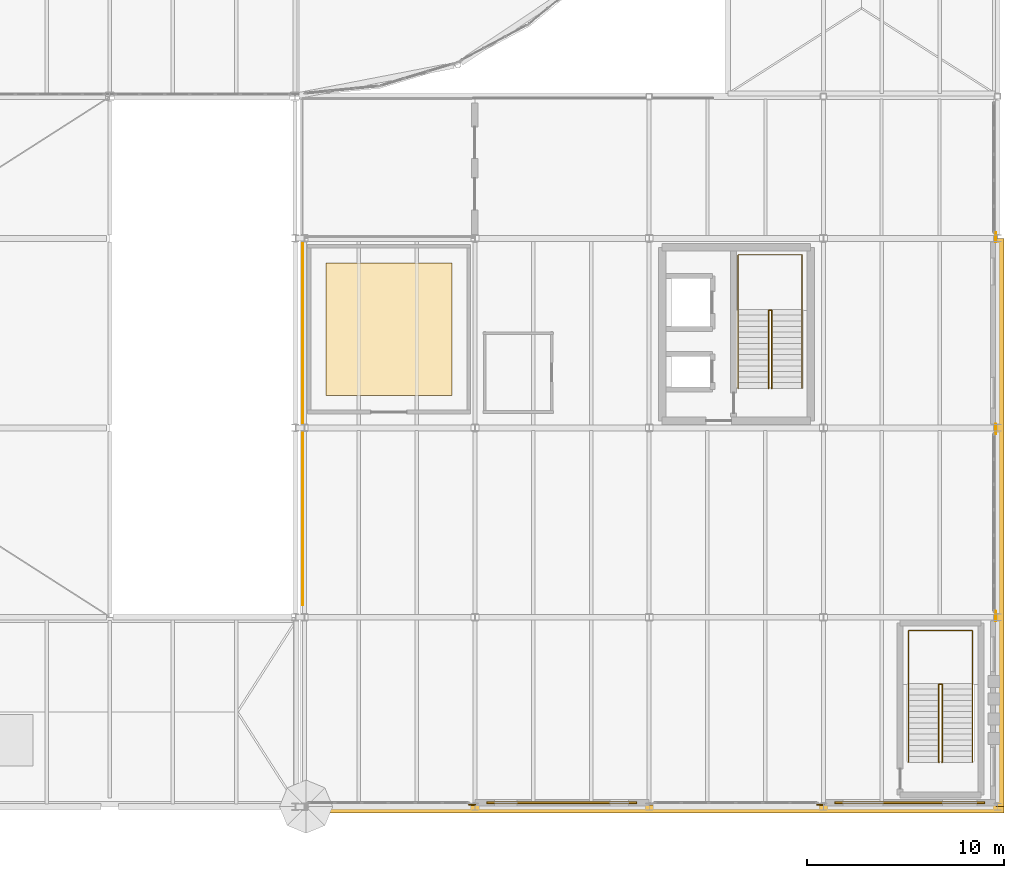
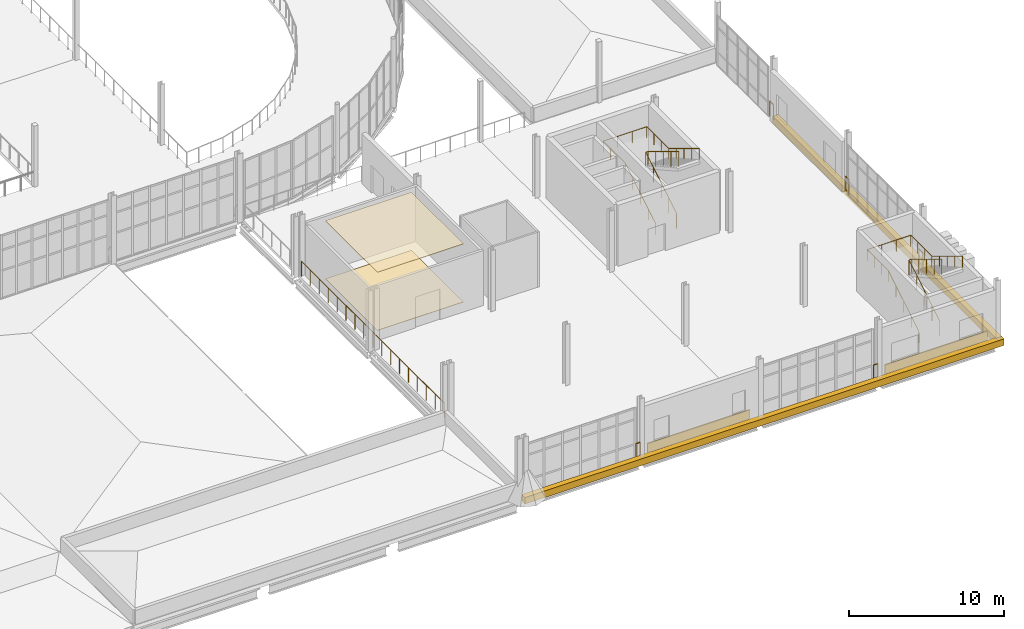
# One storey, part 110 of 112: 10 railings, 6 coverings.
"""IFC4 building model written with IfcOpenShell, lengths in metres."""

from ifc_helpers import new_model, si_unit, direction, frame, origin, origin_2d, place, context, subcontext, project, spatial, polyline, rectangle, circle, outline, extrude, material, layer, layer_set, type_object, element, save


model = new_model("IFC4")

# Units and contexts
model_context = context("Model", 3, precision=1e-05, world=origin(), true_north=direction((0.0, 1.0)))
body_context = subcontext(model_context, "Body", "Model", "MODEL_VIEW")
ifc_project = project(units=[si_unit("LENGTHUNIT", "METRE"), si_unit("AREAUNIT", "SQUARE_METRE"), si_unit("VOLUMEUNIT", "CUBIC_METRE"), si_unit("PLANEANGLEUNIT", "RADIAN"), si_unit("MASSUNIT", "GRAM", prefix="KILO")], contexts=[model_context])

# Site, building, storey
site_placement = place(None, origin())
site = spatial("IfcSite", under=ifc_project, at=site_placement, CompositionType="ELEMENT")
building_placement = place(site_placement, origin())
building = spatial("IfcBuilding", under=site, at=building_placement, Name="Yeouljin Market Hall", CompositionType="ELEMENT")
storey_placement = place(building_placement, frame((0.0, 0.0, 6.0)))
storey = spatial("IfcBuildingStorey", under=building, at=storey_placement, Name="L01", CompositionType="ELEMENT", Elevation=6.0)

# Coverings
ifc_material_1 = material(Name="Clinker Brick Masonry F2-S2", Category="masonry")
ifc_layer_1 = layer(ifc_material_1, 0.090087890625)
ifc_layer_set_1 = layer_set([ifc_layer_1], Name="Clinker Brick Masonry F2-S2")
covering_type_1 = type_object("IfcCoveringType", Name="Covering_Brick_FacadeCladding", PredefinedType="CLADDING", material=ifc_layer_set_1)
for number, where, z_axis, x_axis, name in (
    (1, (171.949951171875, 0.199951171875, 0.074951171875), (0.0, 0.0, 1.0), (-1.0, 0.0, 0.0), "Muizentand clinker brick spandrel band L01-09"),
    (2, (154.300048828125, 0.199951171875, 0.074951171875), (0.0, 0.0, 1.0), (-1.0, 0.0, 0.0), "Muizentand clinker brick spandrel band L01-11"),
):
    element("IfcCovering", number, at=place(storey_placement, frame(where, z_axis=z_axis, x_axis=x_axis)), inside=storey, type_object=covering_type_1, Name=name, PredefinedType="CLADDING", context=body_context, shape_type="SweptSolid", body=[
        extrude(rectangle(XDim=7.60009765625, YDim=0.090087890625, at=origin_2d()), origin(), (0.0, 0.0, 1.0), 0.75),
    ])
ifc_material_2 = material(Name="Clinker Brick Masonry F2-S2", Category="masonry")
ifc_layer_2 = layer(ifc_material_2, 0.360107421875)
ifc_layer_set_2 = layer_set([ifc_layer_2], Name="Clinker Brick Masonry F2-S2")
covering_type_2 = type_object("IfcCoveringType", Name="Covering_Clinker_SpandrelHood", PredefinedType="CLADDING", material=ifc_layer_set_2)
covering_1_placement = place(storey_placement, frame((0.0, 0.0, -0.35009765625)))
element("IfcCovering", 3, at=covering_1_placement, inside=storey, type_object=covering_type_2, Name="Corbelled brick spandrel hood SE-02", PredefinedType="CLADDING", context=body_context, shape_type="SweptSolid", body=[
    extrude(outline(polyline([(141.10009765625, -0.320068359375), (176.719970703125, -0.320068359375), (176.719970703125, 0.080078125), (141.10009765625, 0.080078125), (141.10009765625, -0.320068359375)])), origin(), (0.0, 0.0, 1.0), 0.52001953125),
])
covering_2_placement = place(storey_placement, frame((0.0, 0.0, -0.35009765625)))
element("IfcCovering", 4, at=covering_2_placement, inside=storey, type_object=covering_type_2, Name="Corbelled brick spandrel hood EE-04", PredefinedType="CLADDING", context=body_context, shape_type="SweptSolid", body=[
    extrude(outline(polyline([(176.320068359375, 0.0), (176.719970703125, 0.0), (176.719970703125, 28.800048828125), (176.320068359375, 28.800048828125), (176.320068359375, 0.0)])), origin(), (0.0, 0.0, 1.0), 0.52001953125),
])
ifc_material_3 = material(Name="Polished Mineral Terrazzo Flooring")
ifc_layer_3 = layer(ifc_material_3, 0.030029296875)
ifc_layer_set_3 = layer_set([ifc_layer_3], Name="Polished Mineral Terrazzo Flooring")
covering_type_3 = type_object("IfcCoveringType", Name="Covering_Terrazzo_Flooring", PredefinedType="FLOORING", material=ifc_layer_set_3)
covering_3_placement = place(storey_placement, origin())
element("IfcCovering", 5, at=covering_3_placement, inside=storey, type_object=covering_type_3, Name="Polished terrazzo floor finish L01-05", PredefinedType="FLOORING", context=body_context, shape_type="SweptSolid", body=[
    extrude(outline(polyline([(148.75, 20.85009765625), (148.75, 27.550048828125), (142.35009765625, 27.550048828125), (142.35009765625, 20.85009765625), (148.75, 20.85009765625)])), origin(), (0.0, 0.0, 1.0), 0.030029296875),
])
ifc_material_4 = material(Name="Perforated Larch Acoustic Ceiling Baffle")
ifc_layer_4 = layer(ifc_material_4, 0.0400390625)
ifc_layer_set_4 = layer_set([ifc_layer_4], Name="Perforated Larch Acoustic Ceiling Baffle")
covering_type_4 = type_object("IfcCoveringType", Name="Covering_TimberAcoustic_Ceiling", PredefinedType="CEILING", material=ifc_layer_set_4)
covering_4_placement = place(storey_placement, frame((0.0, 0.0, 4.56005859375)))
element("IfcCovering", 6, at=covering_4_placement, inside=storey, type_object=covering_type_4, Name="Acoustic larch baffle ceiling L01-05", PredefinedType="CEILING", context=body_context, shape_type="SweptSolid", body=[
    extrude(outline(polyline([(148.75, 20.85009765625), (148.75, 27.550048828125), (142.35009765625, 27.550048828125), (142.35009765625, 20.85009765625), (148.75, 20.85009765625)])), origin(), (0.0, 0.0, 1.0), 0.0400390625),
])

# Railings
ifc_material_5 = material(Name="Wrought Iron and Bronze Gallery Balustrade")
railing_type_1 = type_object("IfcRailingType", Name="Railing_AtriumBalustrade_1200", PredefinedType="BALUSTRADE", material=ifc_material_5)
for number, where, name in (
    (7, (176.300048828125, 29.10009765625, 0.0), "Gallery & deck edge balustrade L01-059"),
    (8, (176.300048828125, 19.382080078125, 0.0), "Gallery & deck edge balustrade L01-060"),
):
    element("IfcRailing", number, at=place(storey_placement, frame(where)), inside=storey, type_object=railing_type_1, Name=name, PredefinedType="BALUSTRADE", context=body_context, shape_type="SweptSolid", body=[
        extrude(circle(Radius=0.02392578125, at=origin_2d()), frame((0.0, 0.0, 1.17578125), z_axis=(0.0, -1.0, 0.0), x_axis=(1.0, 0.0, 0.0)), (0.0, 0.0, 1.0), 0.482177734375),
        extrude(circle(Radius=0.02099609375, at=origin_2d()), origin(), (0.0, 0.0, 1.0), 1.15185546875),
        extrude(circle(Radius=0.02099609375, at=origin_2d()), frame((0.0, -0.482177734375, 0.0)), (0.0, 0.0, 1.0), 1.15185546875),
    ])
railing_1_placement = place(storey_placement, frame((176.300048828125, 9.89990234375, 0.0)))
element("IfcRailing", 9, at=railing_1_placement, inside=storey, type_object=railing_type_1, Name="Gallery & deck edge balustrade L01-061", PredefinedType="BALUSTRADE", context=body_context, shape_type="SweptSolid", body=[
    extrude(circle(Radius=0.02392578125, at=origin_2d()), frame((0.0, 0.0, 1.17578125), z_axis=(0.0, -1.0, 0.0), x_axis=(1.0, 0.0, 0.0)), (0.0, 0.0, 1.0), 0.48193359375),
    extrude(circle(Radius=0.02099609375, at=origin_2d()), origin(), (0.0, 0.0, 1.0), 1.15185546875),
    extrude(circle(Radius=0.02099609375, at=origin_2d()), frame((0.0, -0.48193359375, 0.0)), (0.0, 0.0, 1.0), 1.15185546875),
])
railing_2_placement = place(storey_placement, frame((167.58203125, 0.10009765625, 0.0)))
element("IfcRailing", 10, at=railing_2_placement, inside=storey, type_object=railing_type_1, Name="Gallery & deck edge balustrade L01-062", PredefinedType="BALUSTRADE", context=body_context, shape_type="SweptSolid", body=[
    extrude(circle(Radius=0.02392578125, at=origin_2d()), frame((0.0, 0.0, 1.17578125), z_axis=(-1.0, 0.0, 0.0), x_axis=(0.0, -1.0, 0.0)), (0.0, 0.0, 1.0), 0.33203125),
    extrude(circle(Radius=0.02099609375, at=origin_2d()), origin(), (0.0, 0.0, 1.0), 1.15185546875),
    extrude(circle(Radius=0.02099609375, at=origin_2d()), frame((-0.33203125, 0.0, 0.0)), (0.0, 0.0, 1.0), 1.15185546875),
])
railing_3_placement = place(storey_placement, frame((149.922119140625, 0.10009765625, 0.0)))
element("IfcRailing", 11, at=railing_3_placement, inside=storey, type_object=railing_type_1, Name="Gallery & deck edge balustrade L01-063", PredefinedType="BALUSTRADE", context=body_context, shape_type="SweptSolid", body=[
    extrude(circle(Radius=0.02392578125, at=origin_2d()), frame((0.0, 0.0, 1.17578125), z_axis=(-1.0, 0.0, 0.0), x_axis=(0.0, -1.0, 0.0)), (0.0, 0.0, 1.0), 0.322021484375),
    extrude(circle(Radius=0.02099609375, at=origin_2d()), origin(), (0.0, 0.0, 1.0), 1.15185546875),
    extrude(circle(Radius=0.02099609375, at=origin_2d()), frame((-0.322021484375, 0.0, 0.0)), (0.0, 0.0, 1.0), 1.15185546875),
])
railing_4_placement = place(storey_placement, frame((141.179931640625, 10.22412109375, 0.0)))
element("IfcRailing", 12, at=railing_4_placement, inside=storey, type_object=railing_type_1, Name="Gallery & deck edge balustrade L01-064", PredefinedType="BALUSTRADE", context=body_context, shape_type="SweptSolid", body=[
    extrude(circle(Radius=0.02392578125, at=origin_2d()), frame((0.0, 0.0, 1.17578125), z_axis=(0.0, 1.0, 0.0), x_axis=(-1.0, 0.0, 0.0)), (0.0, 0.0, 1.0), 18.3759765625),
    extrude(circle(Radius=0.02099609375, at=origin_2d()), origin(), (0.0, 0.0, 1.0), 1.15185546875),
    extrude(circle(Radius=0.02099609375, at=origin_2d()), frame((0.0, 1.1484375, 0.0)), (0.0, 0.0, 1.0), 1.15185546875),
    extrude(circle(Radius=0.02099609375, at=origin_2d()), frame((0.0, 2.296875, 0.0)), (0.0, 0.0, 1.0), 1.15185546875),
    extrude(circle(Radius=0.02099609375, at=origin_2d()), frame((0.0, 3.445556640625, 0.0)), (0.0, 0.0, 1.0), 1.15185546875),
    extrude(circle(Radius=0.02099609375, at=origin_2d()), frame((0.0, 4.593994140625, 0.0)), (0.0, 0.0, 1.0), 1.15185546875),
    extrude(circle(Radius=0.02099609375, at=origin_2d()), frame((0.0, 5.742431640625, 0.0)), (0.0, 0.0, 1.0), 1.15185546875),
    extrude(circle(Radius=0.02099609375, at=origin_2d()), frame((0.0, 6.89111328125, 0.0)), (0.0, 0.0, 1.0), 1.15185546875),
    extrude(circle(Radius=0.02099609375, at=origin_2d()), frame((0.0, 8.03955078125, 0.0)), (0.0, 0.0, 1.0), 1.15185546875),
    extrude(circle(Radius=0.02099609375, at=origin_2d()), frame((0.0, 9.18798828125, 0.0)), (0.0, 0.0, 1.0), 1.15185546875),
    extrude(circle(Radius=0.02099609375, at=origin_2d()), frame((0.0, 10.33642578125, 0.0)), (0.0, 0.0, 1.0), 1.15185546875),
    extrude(circle(Radius=0.02099609375, at=origin_2d()), frame((0.0, 11.48486328125, 0.0)), (0.0, 0.0, 1.0), 1.15185546875),
    extrude(circle(Radius=0.02099609375, at=origin_2d()), frame((0.0, 12.633544921875, 0.0)), (0.0, 0.0, 1.0), 1.15185546875),
    extrude(circle(Radius=0.02099609375, at=origin_2d()), frame((0.0, 13.781982421875, 0.0)), (0.0, 0.0, 1.0), 1.15185546875),
    extrude(circle(Radius=0.02099609375, at=origin_2d()), frame((0.0, 14.930419921875, 0.0)), (0.0, 0.0, 1.0), 1.15185546875),
    extrude(circle(Radius=0.02099609375, at=origin_2d()), frame((0.0, 16.0791015625, 0.0)), (0.0, 0.0, 1.0), 1.15185546875),
    extrude(circle(Radius=0.02099609375, at=origin_2d()), frame((0.0, 17.2275390625, 0.0)), (0.0, 0.0, 1.0), 1.15185546875),
    extrude(circle(Radius=0.02099609375, at=origin_2d()), frame((0.0, 18.3759765625, 0.0)), (0.0, 0.0, 1.0), 1.15185546875),
])
ifc_material_6 = material(Name="Painted Steel Stair Guardrail", Category="steel")
railing_type_2 = type_object("IfcRailingType", Name="Railing_StairGuard_1200", PredefinedType="GUARDRAIL", material=ifc_material_6)
railing_5_placement = place(storey_placement, frame((164.7900390625, 21.199951171875, 0.0)))
element("IfcRailing", 13, at=railing_5_placement, inside=storey, type_object=railing_type_2, Name="Stair ST-C3-L01 inner well guardrail", PredefinedType="GUARDRAIL", context=body_context, shape_type="SweptSolid", body=[
    extrude(circle(Radius=0.02392578125, at=origin_2d()), frame((0.0, 0.0, 1.17578125), z_axis=(0.0, 0.854622603422, 0.519249656446), x_axis=(-1.0, 0.0, 0.0)), (0.0, 0.0, 1.0), 4.621826171875),
    extrude(circle(Radius=0.02392578125, at=origin_2d()), frame((0.0, 3.949951171875, 3.57568359375), z_axis=(1.0, 0.0, 0.0), x_axis=(0.0, 1.0, 0.0)), (0.0, 0.0, 1.0), 0.159912109375),
    extrude(circle(Radius=0.02392578125, at=origin_2d()), frame((0.159912109375, 3.949951171875, 3.57568359375), z_axis=(0.0, -0.854599162348, 0.519288235679), x_axis=(1.0, 0.0, 0.0)), (0.0, 0.0, 1.0), 4.6220703125),
    extrude(circle(Radius=0.02099609375, at=origin_2d()), origin(), (0.0, 0.0, 1.0), 1.15185546875),
    extrude(circle(Radius=0.02099609375, at=origin_2d()), frame((0.0, 0.987548828125, 0.60009765625)), (0.0, 0.0, 1.0), 1.15185546875),
    extrude(circle(Radius=0.02099609375, at=origin_2d()), frame((0.0, 1.97509765625, 1.199951171875)), (0.0, 0.0, 1.0), 1.15185546875),
    extrude(circle(Radius=0.02099609375, at=origin_2d()), frame((0.0, 2.96240234375, 1.7998046875)), (0.0, 0.0, 1.0), 1.15185546875),
    extrude(circle(Radius=0.02099609375, at=origin_2d()), frame((0.0, 3.949951171875, 2.39990234375)), (0.0, 0.0, 1.0), 1.15185546875),
    extrude(circle(Radius=0.02099609375, at=origin_2d()), frame((0.159912109375, 3.949951171875, 2.39990234375)), (0.0, 0.0, 1.0), 1.15185546875),
    extrude(circle(Radius=0.02099609375, at=origin_2d()), frame((0.159912109375, 2.96240234375, 3.0)), (0.0, 0.0, 1.0), 1.15185546875),
    extrude(circle(Radius=0.02099609375, at=origin_2d()), frame((0.159912109375, 1.97509765625, 3.60009765625)), (0.0, 0.0, 1.0), 1.15185546875),
    extrude(circle(Radius=0.02099609375, at=origin_2d()), frame((0.159912109375, 0.987548828125, 4.199951171875)), (0.0, 0.0, 1.0), 1.15185546875),
    extrude(circle(Radius=0.02099609375, at=origin_2d()), frame((0.159912109375, 0.0, 4.800048828125)), (0.0, 0.0, 1.0), 1.15185546875),
])
railing_6_placement = place(storey_placement, frame((173.419921875, 2.25, 0.0)))
element("IfcRailing", 14, at=railing_6_placement, inside=storey, type_object=railing_type_2, Name="Stair ST-S8-L01 inner well guardrail", PredefinedType="GUARDRAIL", context=body_context, shape_type="SweptSolid", body=[
    extrude(circle(Radius=0.02392578125, at=origin_2d()), frame((0.0, 0.0, 1.17578125), z_axis=(0.0, 0.854622603422, 0.519249656446), x_axis=(-1.0, 0.0, 0.0)), (0.0, 0.0, 1.0), 4.621826171875),
    extrude(circle(Radius=0.02392578125, at=origin_2d()), frame((0.0, 3.949951171875, 3.57568359375), z_axis=(1.0, 0.0, 0.0), x_axis=(0.0, 1.0, 0.0)), (0.0, 0.0, 1.0), 0.16015625),
    extrude(circle(Radius=0.02392578125, at=origin_2d()), frame((0.16015625, 3.949951171875, 3.57568359375), z_axis=(0.0, -0.854599162348, 0.519288235679), x_axis=(1.0, 0.0, 0.0)), (0.0, 0.0, 1.0), 4.6220703125),
    extrude(circle(Radius=0.02099609375, at=origin_2d()), origin(), (0.0, 0.0, 1.0), 1.15185546875),
    extrude(circle(Radius=0.02099609375, at=origin_2d()), frame((0.0, 0.987548828125, 0.60009765625)), (0.0, 0.0, 1.0), 1.15185546875),
    extrude(circle(Radius=0.02099609375, at=origin_2d()), frame((0.0, 1.97509765625, 1.199951171875)), (0.0, 0.0, 1.0), 1.15185546875),
    extrude(circle(Radius=0.02099609375, at=origin_2d()), frame((0.0, 2.96240234375, 1.7998046875)), (0.0, 0.0, 1.0), 1.15185546875),
    extrude(circle(Radius=0.02099609375, at=origin_2d()), frame((0.0, 3.949951171875, 2.39990234375)), (0.0, 0.0, 1.0), 1.15185546875),
    extrude(circle(Radius=0.02099609375, at=origin_2d()), frame((0.16015625, 3.949951171875, 2.39990234375)), (0.0, 0.0, 1.0), 1.15185546875),
    extrude(circle(Radius=0.02099609375, at=origin_2d()), frame((0.16015625, 2.96240234375, 3.0)), (0.0, 0.0, 1.0), 1.15185546875),
    extrude(circle(Radius=0.02099609375, at=origin_2d()), frame((0.16015625, 1.97509765625, 3.60009765625)), (0.0, 0.0, 1.0), 1.15185546875),
    extrude(circle(Radius=0.02099609375, at=origin_2d()), frame((0.16015625, 0.987548828125, 4.199951171875)), (0.0, 0.0, 1.0), 1.15185546875),
    extrude(circle(Radius=0.02099609375, at=origin_2d()), frame((0.16015625, 0.0, 4.800048828125)), (0.0, 0.0, 1.0), 1.15185546875),
])
ifc_material_7 = material(Name="Brushed Stainless Steel", Category="steel")
railing_type_3 = type_object("IfcRailingType", Name="Railing_StairHandrail_900", PredefinedType="HANDRAIL", material=ifc_material_7)
railing_7_placement = place(storey_placement, frame((163.25, 21.199951171875, 0.0)))
element("IfcRailing", 15, at=railing_7_placement, inside=storey, type_object=railing_type_3, Name="Stair ST-C3-L01 wall handrail", PredefinedType="HANDRAIL", context=body_context, shape_type="SweptSolid", body=[
    extrude(circle(Radius=0.02392578125, at=origin_2d()), frame((0.0, 0.0, 0.8759765625), z_axis=(0.0, 0.854622603422, 0.519249656446), x_axis=(-1.0, 0.0, 0.0)), (0.0, 0.0, 1.0), 4.621826171875),
    extrude(circle(Radius=0.02392578125, at=origin_2d()), frame((0.0, 3.949951171875, 3.27587890625), z_axis=(0.0, 1.0, 0.0), x_axis=(-1.0, 0.0, 0.0)), (0.0, 0.0, 1.0), 2.820068359375),
    extrude(circle(Radius=0.02392578125, at=origin_2d()), frame((0.0, 6.77001953125, 3.27587890625), z_axis=(1.0, 0.0, 0.0), x_axis=(0.0, 1.0, 0.0)), (0.0, 0.0, 1.0), 3.239990234375),
    extrude(circle(Radius=0.02392578125, at=origin_2d()), frame((3.239990234375, 6.77001953125, 3.27587890625), z_axis=(0.0, -1.0, 0.0), x_axis=(1.0, 0.0, 0.0)), (0.0, 0.0, 1.0), 2.820068359375),
    extrude(circle(Radius=0.02392578125, at=origin_2d()), frame((3.239990234375, 3.949951171875, 3.27587890625), z_axis=(0.0, -0.854599162348, 0.519288235679), x_axis=(1.0, 0.0, 0.0)), (0.0, 0.0, 1.0), 4.6220703125),
    extrude(circle(Radius=0.02099609375, at=origin_2d()), origin(), (0.0, 0.0, 1.0), 0.851806640625),
    extrude(circle(Radius=0.02099609375, at=origin_2d()), frame((0.0, 0.987548828125, 0.60009765625)), (0.0, 0.0, 1.0), 0.851806640625),
    extrude(circle(Radius=0.02099609375, at=origin_2d()), frame((0.0, 1.97509765625, 1.199951171875)), (0.0, 0.0, 1.0), 0.851806640625),
    extrude(circle(Radius=0.02099609375, at=origin_2d()), frame((0.0, 2.96240234375, 1.7998046875)), (0.0, 0.0, 1.0), 0.851806640625),
    extrude(circle(Radius=0.02099609375, at=origin_2d()), frame((0.0, 3.949951171875, 2.39990234375)), (0.0, 0.0, 1.0), 0.851806640625),
    extrude(circle(Radius=0.02099609375, at=origin_2d()), frame((0.0, 4.889892578125, 2.39990234375)), (0.0, 0.0, 1.0), 0.851806640625),
    extrude(circle(Radius=0.02099609375, at=origin_2d()), frame((0.0, 5.830078125, 2.39990234375)), (0.0, 0.0, 1.0), 0.851806640625),
    extrude(circle(Radius=0.02099609375, at=origin_2d()), frame((0.0, 6.77001953125, 2.39990234375)), (0.0, 0.0, 1.0), 0.851806640625),
    extrude(circle(Radius=0.02099609375, at=origin_2d()), frame((1.080078125, 6.77001953125, 2.39990234375)), (0.0, 0.0, 1.0), 0.851806640625),
    extrude(circle(Radius=0.02099609375, at=origin_2d()), frame((2.159912109375, 6.77001953125, 2.39990234375)), (0.0, 0.0, 1.0), 0.851806640625),
    extrude(circle(Radius=0.02099609375, at=origin_2d()), frame((3.239990234375, 6.77001953125, 2.39990234375)), (0.0, 0.0, 1.0), 0.851806640625),
    extrude(circle(Radius=0.02099609375, at=origin_2d()), frame((3.239990234375, 5.830078125, 2.39990234375)), (0.0, 0.0, 1.0), 0.851806640625),
    extrude(circle(Radius=0.02099609375, at=origin_2d()), frame((3.239990234375, 4.889892578125, 2.39990234375)), (0.0, 0.0, 1.0), 0.851806640625),
    extrude(circle(Radius=0.02099609375, at=origin_2d()), frame((3.239990234375, 3.949951171875, 2.39990234375)), (0.0, 0.0, 1.0), 0.851806640625),
    extrude(circle(Radius=0.02099609375, at=origin_2d()), frame((3.239990234375, 2.96240234375, 3.0)), (0.0, 0.0, 1.0), 0.851806640625),
    extrude(circle(Radius=0.02099609375, at=origin_2d()), frame((3.239990234375, 1.97509765625, 3.60009765625)), (0.0, 0.0, 1.0), 0.851806640625),
    extrude(circle(Radius=0.02099609375, at=origin_2d()), frame((3.239990234375, 0.987548828125, 4.199951171875)), (0.0, 0.0, 1.0), 0.851806640625),
    extrude(circle(Radius=0.02099609375, at=origin_2d()), frame((3.239990234375, 0.0, 4.800048828125)), (0.0, 0.0, 1.0), 0.851806640625),
])
railing_8_placement = place(storey_placement, frame((171.8798828125, 2.25, 0.0)))
element("IfcRailing", 16, at=railing_8_placement, inside=storey, type_object=railing_type_3, Name="Stair ST-S8-L01 wall handrail", PredefinedType="HANDRAIL", context=body_context, shape_type="SweptSolid", body=[
    extrude(circle(Radius=0.02392578125, at=origin_2d()), frame((0.0, 0.0, 0.8759765625), z_axis=(0.0, 0.854622603422, 0.519249656446), x_axis=(-1.0, 0.0, 0.0)), (0.0, 0.0, 1.0), 4.621826171875),
    extrude(circle(Radius=0.02392578125, at=origin_2d()), frame((0.0, 3.949951171875, 3.27587890625), z_axis=(0.0, 1.0, 0.0), x_axis=(-1.0, 0.0, 0.0)), (0.0, 0.0, 1.0), 2.719970703125),
    extrude(circle(Radius=0.02392578125, at=origin_2d()), frame((0.0, 6.669921875, 3.27587890625), z_axis=(1.0, 0.0, 0.0), x_axis=(0.0, 1.0, 0.0)), (0.0, 0.0, 1.0), 3.240234375),
    extrude(circle(Radius=0.02392578125, at=origin_2d()), frame((3.240234375, 6.669921875, 3.27587890625), z_axis=(0.0, -1.0, 0.0), x_axis=(1.0, 0.0, 0.0)), (0.0, 0.0, 1.0), 2.719970703125),
    extrude(circle(Radius=0.02392578125, at=origin_2d()), frame((3.240234375, 3.949951171875, 3.27587890625), z_axis=(0.0, -0.854599162348, 0.519288235679), x_axis=(1.0, 0.0, 0.0)), (0.0, 0.0, 1.0), 4.6220703125),
    extrude(circle(Radius=0.02099609375, at=origin_2d()), origin(), (0.0, 0.0, 1.0), 0.851806640625),
    extrude(circle(Radius=0.02099609375, at=origin_2d()), frame((0.0, 0.987548828125, 0.60009765625)), (0.0, 0.0, 1.0), 0.851806640625),
    extrude(circle(Radius=0.02099609375, at=origin_2d()), frame((0.0, 1.97509765625, 1.199951171875)), (0.0, 0.0, 1.0), 0.851806640625),
    extrude(circle(Radius=0.02099609375, at=origin_2d()), frame((0.0, 2.96240234375, 1.7998046875)), (0.0, 0.0, 1.0), 0.851806640625),
    extrude(circle(Radius=0.02099609375, at=origin_2d()), frame((0.0, 3.949951171875, 2.39990234375)), (0.0, 0.0, 1.0), 0.851806640625),
    extrude(circle(Radius=0.02099609375, at=origin_2d()), frame((0.0, 4.856689453125, 2.39990234375)), (0.0, 0.0, 1.0), 0.851806640625),
    extrude(circle(Radius=0.02099609375, at=origin_2d()), frame((0.0, 5.76318359375, 2.39990234375)), (0.0, 0.0, 1.0), 0.851806640625),
    extrude(circle(Radius=0.02099609375, at=origin_2d()), frame((0.0, 6.669921875, 2.39990234375)), (0.0, 0.0, 1.0), 0.851806640625),
    extrude(circle(Radius=0.02099609375, at=origin_2d()), frame((1.080078125, 6.669921875, 2.39990234375)), (0.0, 0.0, 1.0), 0.851806640625),
    extrude(circle(Radius=0.02099609375, at=origin_2d()), frame((2.16015625, 6.669921875, 2.39990234375)), (0.0, 0.0, 1.0), 0.851806640625),
    extrude(circle(Radius=0.02099609375, at=origin_2d()), frame((3.240234375, 6.669921875, 2.39990234375)), (0.0, 0.0, 1.0), 0.851806640625),
    extrude(circle(Radius=0.02099609375, at=origin_2d()), frame((3.240234375, 5.76318359375, 2.39990234375)), (0.0, 0.0, 1.0), 0.851806640625),
    extrude(circle(Radius=0.02099609375, at=origin_2d()), frame((3.240234375, 4.856689453125, 2.39990234375)), (0.0, 0.0, 1.0), 0.851806640625),
    extrude(circle(Radius=0.02099609375, at=origin_2d()), frame((3.240234375, 3.949951171875, 2.39990234375)), (0.0, 0.0, 1.0), 0.851806640625),
    extrude(circle(Radius=0.02099609375, at=origin_2d()), frame((3.240234375, 2.96240234375, 3.0)), (0.0, 0.0, 1.0), 0.851806640625),
    extrude(circle(Radius=0.02099609375, at=origin_2d()), frame((3.240234375, 1.97509765625, 3.60009765625)), (0.0, 0.0, 1.0), 0.851806640625),
    extrude(circle(Radius=0.02099609375, at=origin_2d()), frame((3.240234375, 0.987548828125, 4.199951171875)), (0.0, 0.0, 1.0), 0.851806640625),
    extrude(circle(Radius=0.02099609375, at=origin_2d()), frame((3.240234375, 0.0, 4.800048828125)), (0.0, 0.0, 1.0), 0.851806640625),
])

save(model, "model.ifc")
